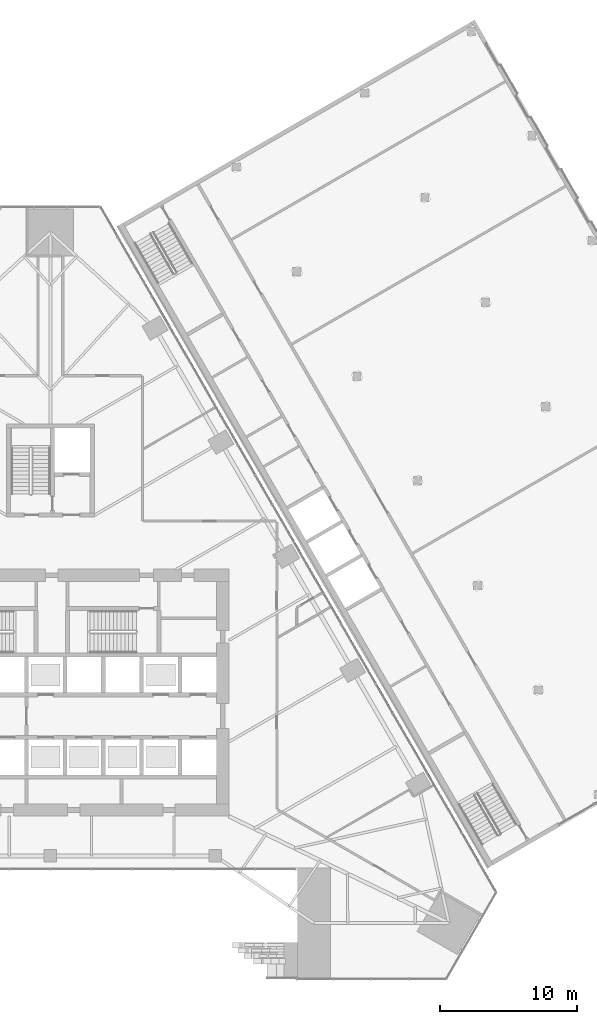
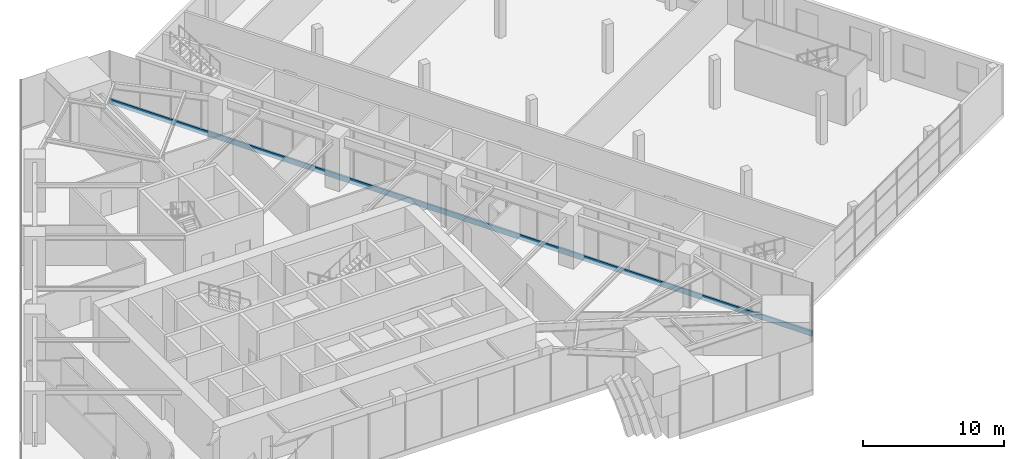
# One storey, part 9 of 29: 1 member, 1 element without a shape of its own.
"""IFC4 building model written with IfcOpenShell, lengths in metres."""

from ifc_helpers import new_model, si_unit, direction, frame, origin, origin_2d, place, context, subcontext, project, spatial, rectangle, extrude, material, layer, layer_set, material_profile, profile_set, type_object, element, aggregate, save


model = new_model("IFC4")

# Units and contexts
model_context = context("Model", 3, precision=1e-05, world=origin(), true_north=direction((0.0, 1.0)))
body_context = subcontext(model_context, "Body", "Model", "MODEL_VIEW")
ifc_project = project(units=[si_unit("LENGTHUNIT", "METRE"), si_unit("AREAUNIT", "SQUARE_METRE"), si_unit("VOLUMEUNIT", "CUBIC_METRE"), si_unit("PLANEANGLEUNIT", "RADIAN"), si_unit("MASSUNIT", "GRAM", prefix="KILO")], contexts=[model_context])

# Site, building, storey
site_placement = place(None, origin())
site = spatial("IfcSite", under=ifc_project, at=site_placement, CompositionType="ELEMENT")
building_placement = place(site_placement, origin())
building = spatial("IfcBuilding", under=site, at=building_placement, Name="Firuza Gate Tower and Library", CompositionType="ELEMENT")
storey_placement = place(building_placement, frame((0.0, 0.0, 8.0)))
storey = spatial("IfcBuildingStorey", under=building, at=storey_placement, Name="L01", CompositionType="ELEMENT", Elevation=8.0)

# Curtain wall, member
ifc_material_1 = material(Name="Aluminium 6063-T6", Category="aluminium")
ifc_layer = layer(ifc_material_1, 0.14990234375)
ifc_layer_set = layer_set([ifc_layer], Name="Stick curtain wall, podium")
curtain_wall_type = type_object("IfcCurtainWallType", Name="Stick curtain wall, podium", PredefinedType="NOTDEFINED", material=ifc_layer_set)
curtain_wall_placement = place(storey_placement, origin())
curtain_wall = element("IfcCurtainWall", 1, at=curtain_wall_placement, inside=storey, type_object=curtain_wall_type, Name="CW5 L01 E", PredefinedType="NOTDEFINED")
ifc_material_2 = material(Name="Aluminium 6063-T6", Category="aluminium")
ifc_material_profile = material_profile(ifc_material_2, rectangle(XDim=0.14990234375, YDim=0.449951171875, at=origin_2d()))
ifc_profile_set = profile_set([ifc_material_profile], Name="Aluminium 6063-T6")
member_type = type_object("IfcMemberType", Name="Curtain wall transom 450x150", PredefinedType="USERDEFINED", material=ifc_profile_set)
member_placement = place(storey_placement, frame((107.486572265625, 60.45068359375, -0.074951171875), z_axis=(-0.499998069382, 0.866026518424, 0.0), x_axis=(-0.866026518424, -0.499998069382, 0.0)))
member = element("IfcMember", 2, at=member_placement, type_object=member_type, Name="Transom", ObjectType="TRANSOM", PredefinedType="USERDEFINED", context=body_context, shape_type="SweptSolid", body=[
    extrude(rectangle(XDim=0.14990234375, YDim=0.449951171875, at=origin_2d()), origin(), (0.0, 0.0, 1.0), 57.686767578125),
])
aggregate(curtain_wall, [member])

save(model, "model.ifc")
